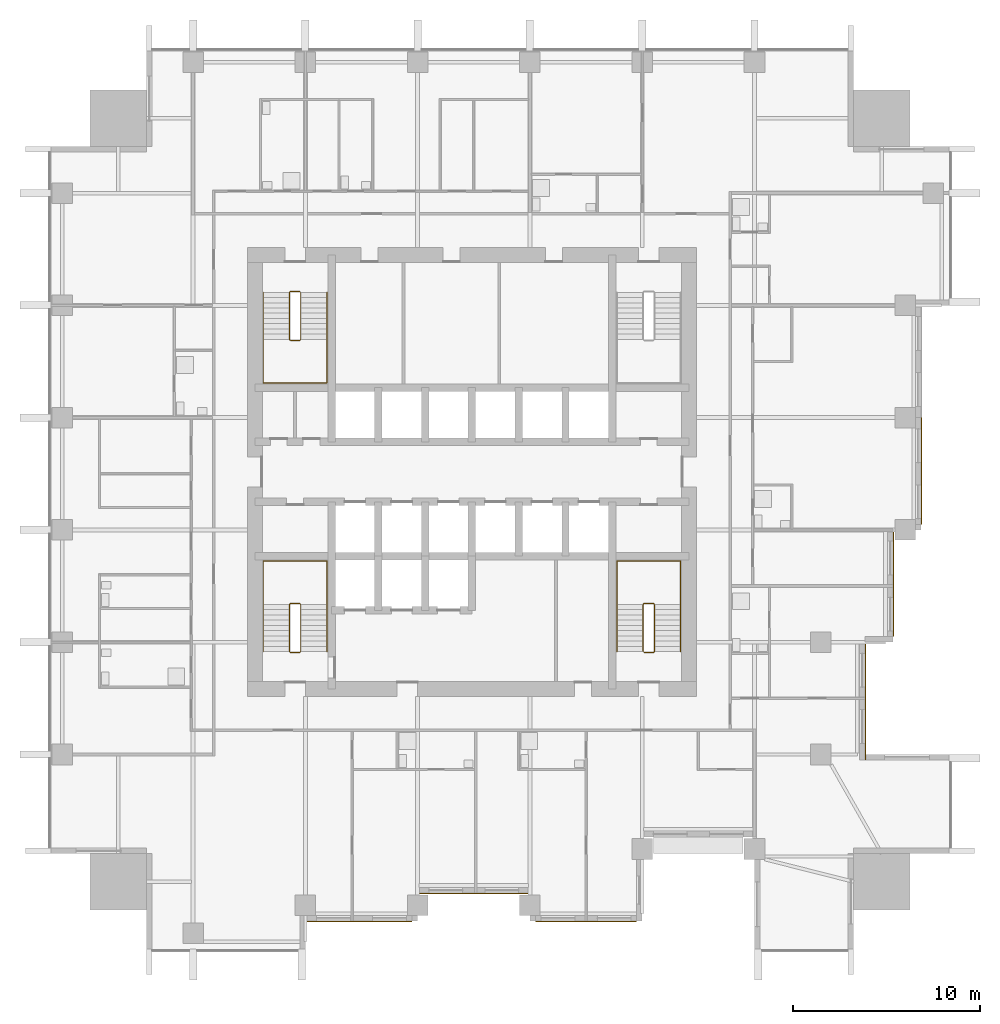
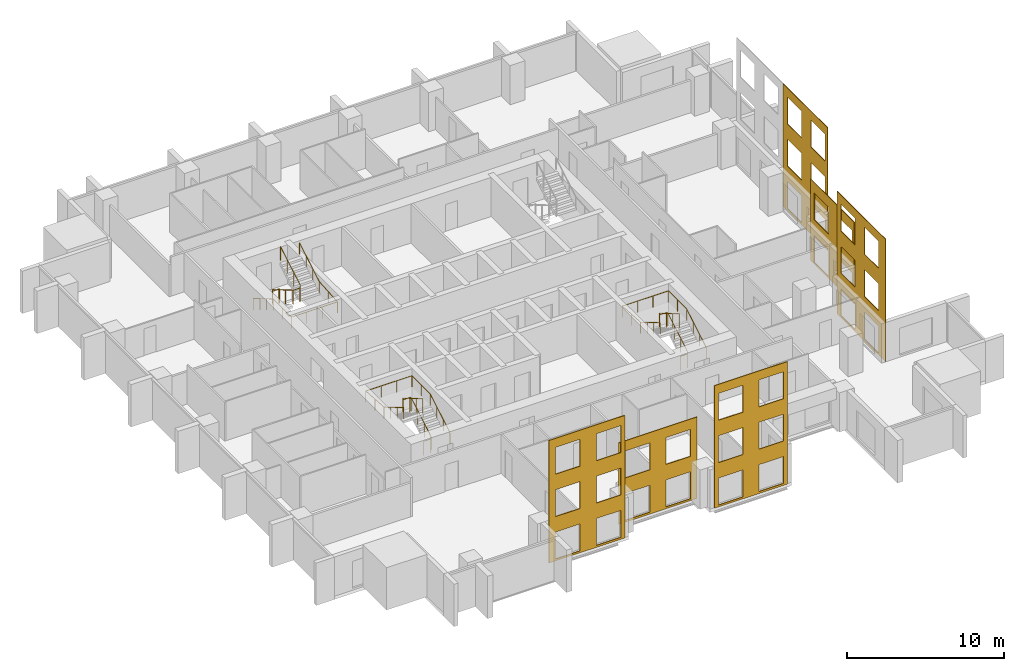
# One storey, part 9 of 11: 6 coverings, 6 railings.
"""IFC4 building model written with IfcOpenShell, lengths in metres."""

from ifc_helpers import new_model, si_unit, direction, frame, origin, origin_2d, place, context, subcontext, project, spatial, polyline, circle, outline, extrude, material, layer, layer_set, type_object, element, save


model = new_model("IFC4")

# Units and contexts
model_context = context("Model", 3, precision=1e-05, world=origin(), true_north=direction((0.0, 1.0)))
body_context = subcontext(model_context, "Body", "Model", "MODEL_VIEW")
ifc_project = project(units=[si_unit("LENGTHUNIT", "METRE"), si_unit("AREAUNIT", "SQUARE_METRE"), si_unit("VOLUMEUNIT", "CUBIC_METRE"), si_unit("PLANEANGLEUNIT", "RADIAN"), si_unit("MASSUNIT", "GRAM", prefix="KILO")], contexts=[model_context])

# Site, building, storey
site_placement = place(None, origin())
site = spatial("IfcSite", under=ifc_project, at=site_placement, CompositionType="ELEMENT")
building_placement = place(site_placement, origin())
building = spatial("IfcBuilding", under=site, at=building_placement, Name="Amberfall Residences", CompositionType="ELEMENT")
storey_placement = place(building_placement, frame((0.0, 0.0, 115.0)))
storey = spatial("IfcBuildingStorey", under=building, at=storey_placement, Name="L31", CompositionType="ELEMENT", Elevation=115.0)

# Coverings
ifc_material_1 = material(Name="Pale limestone cladding", Category="masonry")
ifc_layer = layer(ifc_material_1, 0.050048828125)
ifc_layer_set = layer_set([ifc_layer], Name="Limestone fascia 50")
covering_type = type_object("IfcCoveringType", Name="Limestone fascia 50", PredefinedType="CLADDING", material=ifc_layer_set)
covering_1_placement = place(storey_placement, frame((98.5, 42.699951171875, 9.550048828125), z_axis=(-1.0, 0.0, 0.0), x_axis=(0.0, 1.0, 0.0)))
element("IfcCovering", 1, at=covering_1_placement, inside=storey, type_object=covering_type, Name="Pale limestone cladding L31-L33 E", PredefinedType="CLADDING", context=body_context, shape_type="SweptSolid", body=[
    extrude(outline(polyline([(0.0, 0.0), (5.699951171875, 0.0), (5.699951171875, 9.550048828125), (0.0, 9.550048828125), (0.0, 0.0)]), holes=[polyline([(0.300048828125, 7.300048828125), (2.10009765625, 7.300048828125), (2.10009765625, 9.400146484375), (0.300048828125, 9.400146484375), (0.300048828125, 7.300048828125)]), polyline([(3.300048828125, 7.300048828125), (5.10009765625, 7.300048828125), (5.10009765625, 9.400146484375), (3.300048828125, 9.400146484375), (3.300048828125, 7.300048828125)]), polyline([(0.300048828125, 4.0), (2.10009765625, 4.0), (2.10009765625, 6.10009765625), (0.300048828125, 6.10009765625), (0.300048828125, 4.0)]), polyline([(3.300048828125, 4.0), (5.10009765625, 4.0), (5.10009765625, 6.10009765625), (3.300048828125, 6.10009765625), (3.300048828125, 4.0)]), polyline([(0.300048828125, 0.699951171875), (2.10009765625, 0.699951171875), (2.10009765625, 2.800048828125), (0.300048828125, 2.800048828125), (0.300048828125, 0.699951171875)]), polyline([(3.300048828125, 0.699951171875), (5.10009765625, 0.699951171875), (5.10009765625, 2.800048828125), (3.300048828125, 2.800048828125), (3.300048828125, 0.699951171875)])]), origin(), (0.0, 0.0, -1.0), 0.050048828125),
])
covering_2_placement = place(storey_placement, frame((65.68994140625, 21.5, 9.550048828125), z_axis=(0.0, 1.0, 0.0), x_axis=(1.0, 0.0, 0.0)))
element("IfcCovering", 2, at=covering_2_placement, inside=storey, type_object=covering_type, Name="Pale limestone cladding L31-L33 S", PredefinedType="CLADDING", context=body_context, shape_type="SweptSolid", body=[
    extrude(outline(polyline([(0.0, 0.0), (5.610107421875, 0.0), (5.610107421875, 9.550048828125), (0.0, 9.550048828125), (0.0, 0.0)]), holes=[polyline([(0.510009765625, 7.300048828125), (2.31005859375, 7.300048828125), (2.31005859375, 9.400146484375), (0.510009765625, 9.400146484375), (0.510009765625, 7.300048828125)]), polyline([(3.510009765625, 7.300048828125), (5.31005859375, 7.300048828125), (5.31005859375, 9.400146484375), (3.510009765625, 9.400146484375), (3.510009765625, 7.300048828125)]), polyline([(0.510009765625, 4.0), (2.31005859375, 4.0), (2.31005859375, 6.10009765625), (0.510009765625, 6.10009765625), (0.510009765625, 4.0)]), polyline([(3.510009765625, 4.0), (5.31005859375, 4.0), (5.31005859375, 6.10009765625), (3.510009765625, 6.10009765625), (3.510009765625, 4.0)]), polyline([(0.510009765625, 0.699951171875), (2.31005859375, 0.699951171875), (2.31005859375, 2.800048828125), (0.510009765625, 2.800048828125), (0.510009765625, 0.699951171875)]), polyline([(3.510009765625, 0.699951171875), (5.31005859375, 0.699951171875), (5.31005859375, 2.800048828125), (3.510009765625, 2.800048828125), (3.510009765625, 0.699951171875)])]), origin(), (0.0, 0.0, -1.0), 0.050048828125),
])
covering_3_placement = place(storey_placement, frame((71.7099609375, 23.0, 6.35009765625), z_axis=(0.0, 1.0, 0.0), x_axis=(1.0, 0.0, 0.0)))
element("IfcCovering", 3, at=covering_3_placement, inside=storey, type_object=covering_type, Name="Pale limestone cladding L31-L32 S", PredefinedType="CLADDING", context=body_context, shape_type="SweptSolid", body=[
    extrude(outline(polyline([(0.0, 0.0), (5.780029296875, 0.0), (5.780029296875, 6.35009765625), (0.0, 6.35009765625), (0.0, 0.0)]), holes=[polyline([(0.489990234375, 4.10009765625), (2.2900390625, 4.10009765625), (2.2900390625, 6.2001953125), (0.489990234375, 6.2001953125), (0.489990234375, 4.10009765625)]), polyline([(3.489990234375, 4.10009765625), (5.2900390625, 4.10009765625), (5.2900390625, 6.2001953125), (3.489990234375, 6.2001953125), (3.489990234375, 4.10009765625)]), polyline([(0.489990234375, 0.800048828125), (2.2900390625, 0.800048828125), (2.2900390625, 2.900146484375), (0.489990234375, 2.900146484375), (0.489990234375, 0.800048828125)]), polyline([(3.489990234375, 0.800048828125), (5.2900390625, 0.800048828125), (5.2900390625, 2.900146484375), (3.489990234375, 2.900146484375), (3.489990234375, 0.800048828125)])]), origin(), (0.0, 0.0, -1.0), 0.050048828125),
])
covering_4_placement = place(storey_placement, frame((77.89990234375, 21.5, 9.550048828125), z_axis=(0.0, 1.0, 0.0), x_axis=(1.0, 0.0, 0.0)))
element("IfcCovering", 4, at=covering_4_placement, inside=storey, type_object=covering_type, Name="Pale limestone cladding L31-L33 S", PredefinedType="CLADDING", context=body_context, shape_type="SweptSolid", body=[
    extrude(outline(polyline([(0.0, 0.0), (5.400146484375, 0.0), (5.400146484375, 9.550048828125), (0.0, 9.550048828125), (0.0, 0.0)]), holes=[polyline([(0.300048828125, 7.300048828125), (2.10009765625, 7.300048828125), (2.10009765625, 9.400146484375), (0.300048828125, 9.400146484375), (0.300048828125, 7.300048828125)]), polyline([(3.300048828125, 7.300048828125), (5.10009765625, 7.300048828125), (5.10009765625, 9.400146484375), (3.300048828125, 9.400146484375), (3.300048828125, 7.300048828125)]), polyline([(0.300048828125, 4.0), (2.10009765625, 4.0), (2.10009765625, 6.10009765625), (0.300048828125, 6.10009765625), (0.300048828125, 4.0)]), polyline([(3.300048828125, 4.0), (5.10009765625, 4.0), (5.10009765625, 6.10009765625), (3.300048828125, 6.10009765625), (3.300048828125, 4.0)]), polyline([(0.300048828125, 0.699951171875), (2.10009765625, 0.699951171875), (2.10009765625, 2.800048828125), (0.300048828125, 2.800048828125), (0.300048828125, 0.699951171875)]), polyline([(3.300048828125, 0.699951171875), (5.10009765625, 0.699951171875), (5.10009765625, 2.800048828125), (3.300048828125, 2.800048828125), (3.300048828125, 0.699951171875)])]), origin(), (0.0, 0.0, -1.0), 0.050048828125),
])
covering_5_placement = place(storey_placement, frame((97.0, 36.699951171875, 6.35009765625), z_axis=(-1.0, 0.0, 0.0), x_axis=(0.0, 1.0, 0.0)))
element("IfcCovering", 5, at=covering_5_placement, inside=storey, type_object=covering_type, Name="Pale limestone cladding L31-L32 E", PredefinedType="CLADDING", context=body_context, shape_type="SweptSolid", body=[
    extrude(outline(polyline([(0.0, 0.0), (5.590087890625, 0.0), (5.590087890625, 6.35009765625), (0.0, 6.35009765625), (0.0, 0.0)]), holes=[polyline([(0.300048828125, 4.10009765625), (2.10009765625, 4.10009765625), (2.10009765625, 6.2001953125), (0.300048828125, 6.2001953125), (0.300048828125, 4.10009765625)]), polyline([(3.300048828125, 4.10009765625), (5.10009765625, 4.10009765625), (5.10009765625, 6.2001953125), (3.300048828125, 6.2001953125), (3.300048828125, 4.10009765625)]), polyline([(0.300048828125, 0.800048828125), (2.10009765625, 0.800048828125), (2.10009765625, 2.900146484375), (0.300048828125, 2.900146484375), (0.300048828125, 0.800048828125)]), polyline([(3.300048828125, 0.800048828125), (5.10009765625, 0.800048828125), (5.10009765625, 2.900146484375), (3.300048828125, 2.900146484375), (3.300048828125, 0.800048828125)])]), origin(), (0.0, 0.0, -1.0), 0.050048828125),
])
covering_6_placement = place(storey_placement, frame((95.5, 30.10009765625, 9.550048828125), z_axis=(-1.0, 0.0, 0.0), x_axis=(0.0, 1.0, 0.0)))
element("IfcCovering", 6, at=covering_6_placement, inside=storey, type_object=covering_type, Name="Pale limestone cladding L31-L33 E", PredefinedType="CLADDING", context=body_context, shape_type="SweptSolid", body=[
    extrude(outline(polyline([(0.0, 0.0), (6.2099609375, 0.0), (6.2099609375, 9.550048828125), (0.0, 9.550048828125), (0.0, 0.0)]), holes=[polyline([(0.89990234375, 7.300048828125), (2.699951171875, 7.300048828125), (2.699951171875, 9.400146484375), (0.89990234375, 9.400146484375), (0.89990234375, 7.300048828125)]), polyline([(3.89990234375, 7.300048828125), (5.699951171875, 7.300048828125), (5.699951171875, 9.400146484375), (3.89990234375, 9.400146484375), (3.89990234375, 7.300048828125)]), polyline([(0.89990234375, 4.0), (2.699951171875, 4.0), (2.699951171875, 6.10009765625), (0.89990234375, 6.10009765625), (0.89990234375, 4.0)]), polyline([(3.89990234375, 4.0), (5.699951171875, 4.0), (5.699951171875, 6.10009765625), (3.89990234375, 6.10009765625), (3.89990234375, 4.0)]), polyline([(0.89990234375, 0.699951171875), (2.699951171875, 0.699951171875), (2.699951171875, 2.800048828125), (0.89990234375, 2.800048828125), (0.89990234375, 0.699951171875)]), polyline([(3.89990234375, 0.699951171875), (5.699951171875, 0.699951171875), (5.699951171875, 2.800048828125), (3.89990234375, 2.800048828125), (3.89990234375, 0.699951171875)])]), origin(), (0.0, 0.0, -1.0), 0.050048828125),
])

# Railings
ifc_material_2 = material(Name="Stainless steel 316", Category="steel")
railing_type_1 = type_object("IfcRailingType", Name="Stair guard 1100", PredefinedType="GUARDRAIL", material=ifc_material_2)
railing_1_placement = place(storey_placement, frame((64.800048828125, 35.85009765625, 0.0)))
element("IfcRailing", 7, at=railing_1_placement, inside=storey, type_object=railing_type_1, Name="L31 stair 1 guard", PredefinedType="GUARDRAIL", context=body_context, shape_type="SweptSolid", body=[
    extrude(circle(Radius=0.02392578125, at=origin_2d()), frame((0.0, 0.0, 1.076171875), z_axis=(1.0, 0.0, 0.0), x_axis=(0.0, 1.0, 0.0)), (0.0, 0.0, 1.0), 0.5),
    extrude(circle(Radius=0.02392578125, at=origin_2d()), frame((0.5, 0.0, 1.076171875), z_axis=(0.278810427259, 0.277450376394, 0.919394384522), x_axis=(-0.705375805398, 0.708833529934, 0.0)), (0.0, 0.0, 1.0), 0.179443359375),
    extrude(circle(Radius=0.02392578125, at=origin_2d()), frame((0.550048828125, 0.0498046875, 1.2412109375), z_axis=(0.0, 0.861560626758, 0.507654692109), x_axis=(-1.0, 0.0, 0.0)), (0.0, 0.0, 1.0), 2.925048828125),
    extrude(circle(Radius=0.02392578125, at=origin_2d()), frame((0.550048828125, 2.56982421875, 2.72607421875), z_axis=(-0.707106781187, 0.707106781187, 0.0), x_axis=(-0.707106781187, -0.707106781187, 0.0)), (0.0, 0.0, 1.0), 0.07080078125),
    extrude(circle(Radius=0.02392578125, at=origin_2d()), frame((0.5, 2.619873046875, 2.72607421875), z_axis=(-1.0, 0.0, 0.0), x_axis=(0.0, -1.0, 0.0)), (0.0, 0.0, 1.0), 0.5),
    extrude(circle(Radius=0.02392578125, at=origin_2d()), frame((0.0, 2.619873046875, 2.72607421875), z_axis=(-0.278705021027, -0.278705021027, 0.919046801044), x_axis=(0.707106781187, -0.707106781187, 0.0)), (0.0, 0.0, 1.0), 0.1796875),
    extrude(circle(Radius=0.02392578125, at=origin_2d()), frame((-0.050048828125, 2.56982421875, 2.89111328125), z_axis=(0.0, -0.86152411907, 0.507716645641), x_axis=(1.0, 0.0, 0.0)), (0.0, 0.0, 1.0), 2.925048828125),
    extrude(circle(Radius=0.02099609375, at=origin_2d()), origin(), (0.0, 0.0, 1.0), 1.052001953125),
    extrude(circle(Radius=0.02099609375, at=origin_2d()), frame((0.5, 0.0, 0.0)), (0.0, 0.0, 1.0), 1.052001953125),
    extrude(circle(Radius=0.02099609375, at=origin_2d()), frame((0.550048828125, 0.0498046875, 0.1650390625)), (0.0, 0.0, 1.0), 1.052001953125),
    extrude(circle(Radius=0.02099609375, at=origin_2d()), frame((0.550048828125, 0.889892578125, 0.659912109375)), (0.0, 0.0, 1.0), 1.052001953125),
    extrude(circle(Radius=0.02099609375, at=origin_2d()), frame((0.550048828125, 1.729736328125, 1.155029296875)), (0.0, 0.0, 1.0), 1.052001953125),
    extrude(circle(Radius=0.02099609375, at=origin_2d()), frame((0.550048828125, 2.56982421875, 1.64990234375)), (0.0, 0.0, 1.0), 1.052001953125),
    extrude(circle(Radius=0.02099609375, at=origin_2d()), frame((0.5, 2.619873046875, 1.64990234375)), (0.0, 0.0, 1.0), 1.052001953125),
    extrude(circle(Radius=0.02099609375, at=origin_2d()), frame((0.0, 2.619873046875, 1.64990234375)), (0.0, 0.0, 1.0), 1.052001953125),
    extrude(circle(Radius=0.02099609375, at=origin_2d()), frame((-0.050048828125, 2.56982421875, 1.81494140625)), (0.0, 0.0, 1.0), 1.052001953125),
    extrude(circle(Radius=0.02099609375, at=origin_2d()), frame((-0.050048828125, 1.729736328125, 2.31005859375)), (0.0, 0.0, 1.0), 1.052001953125),
    extrude(circle(Radius=0.02099609375, at=origin_2d()), frame((-0.050048828125, 0.889892578125, 2.804931640625)), (0.0, 0.0, 1.0), 1.052001953125),
    extrude(circle(Radius=0.02099609375, at=origin_2d()), frame((-0.050048828125, 0.0498046875, 3.300048828125)), (0.0, 0.0, 1.0), 1.052001953125),
])
railing_2_placement = place(storey_placement, frame((83.699951171875, 35.85009765625, 0.0)))
element("IfcRailing", 8, at=railing_2_placement, inside=storey, type_object=railing_type_1, Name="L31 stair 2 guard", PredefinedType="GUARDRAIL", context=body_context, shape_type="SweptSolid", body=[
    extrude(circle(Radius=0.02392578125, at=origin_2d()), frame((0.0, 0.0, 1.076171875), z_axis=(1.0, 0.0, 0.0), x_axis=(0.0, 1.0, 0.0)), (0.0, 0.0, 1.0), 0.5),
    extrude(circle(Radius=0.02392578125, at=origin_2d()), frame((0.5, 0.0, 1.076171875), z_axis=(0.278810427259, 0.277450376394, 0.919394384522), x_axis=(-0.705375805398, 0.708833529934, 0.0)), (0.0, 0.0, 1.0), 0.179443359375),
    extrude(circle(Radius=0.02392578125, at=origin_2d()), frame((0.550048828125, 0.0498046875, 1.2412109375), z_axis=(0.0, 0.861560626758, 0.507654692109), x_axis=(-1.0, 0.0, 0.0)), (0.0, 0.0, 1.0), 2.925048828125),
    extrude(circle(Radius=0.02392578125, at=origin_2d()), frame((0.550048828125, 2.56982421875, 2.72607421875), z_axis=(-0.707106781187, 0.707106781187, 0.0), x_axis=(-0.707106781187, -0.707106781187, 0.0)), (0.0, 0.0, 1.0), 0.07080078125),
    extrude(circle(Radius=0.02392578125, at=origin_2d()), frame((0.5, 2.619873046875, 2.72607421875), z_axis=(-1.0, 0.0, 0.0), x_axis=(0.0, -1.0, 0.0)), (0.0, 0.0, 1.0), 0.5),
    extrude(circle(Radius=0.02392578125, at=origin_2d()), frame((0.0, 2.619873046875, 2.72607421875), z_axis=(-0.278705021027, -0.278705021027, 0.919046801044), x_axis=(0.707106781187, -0.707106781187, 0.0)), (0.0, 0.0, 1.0), 0.1796875),
    extrude(circle(Radius=0.02392578125, at=origin_2d()), frame((-0.050048828125, 2.56982421875, 2.89111328125), z_axis=(0.0, -0.86152411907, 0.507716645641), x_axis=(1.0, 0.0, 0.0)), (0.0, 0.0, 1.0), 2.925048828125),
    extrude(circle(Radius=0.02099609375, at=origin_2d()), origin(), (0.0, 0.0, 1.0), 1.052001953125),
    extrude(circle(Radius=0.02099609375, at=origin_2d()), frame((0.5, 0.0, 0.0)), (0.0, 0.0, 1.0), 1.052001953125),
    extrude(circle(Radius=0.02099609375, at=origin_2d()), frame((0.550048828125, 0.0498046875, 0.1650390625)), (0.0, 0.0, 1.0), 1.052001953125),
    extrude(circle(Radius=0.02099609375, at=origin_2d()), frame((0.550048828125, 0.889892578125, 0.659912109375)), (0.0, 0.0, 1.0), 1.052001953125),
    extrude(circle(Radius=0.02099609375, at=origin_2d()), frame((0.550048828125, 1.729736328125, 1.155029296875)), (0.0, 0.0, 1.0), 1.052001953125),
    extrude(circle(Radius=0.02099609375, at=origin_2d()), frame((0.550048828125, 2.56982421875, 1.64990234375)), (0.0, 0.0, 1.0), 1.052001953125),
    extrude(circle(Radius=0.02099609375, at=origin_2d()), frame((0.5, 2.619873046875, 1.64990234375)), (0.0, 0.0, 1.0), 1.052001953125),
    extrude(circle(Radius=0.02099609375, at=origin_2d()), frame((0.0, 2.619873046875, 1.64990234375)), (0.0, 0.0, 1.0), 1.052001953125),
    extrude(circle(Radius=0.02099609375, at=origin_2d()), frame((-0.050048828125, 2.56982421875, 1.81494140625)), (0.0, 0.0, 1.0), 1.052001953125),
    extrude(circle(Radius=0.02099609375, at=origin_2d()), frame((-0.050048828125, 1.729736328125, 2.31005859375)), (0.0, 0.0, 1.0), 1.052001953125),
    extrude(circle(Radius=0.02099609375, at=origin_2d()), frame((-0.050048828125, 0.889892578125, 2.804931640625)), (0.0, 0.0, 1.0), 1.052001953125),
    extrude(circle(Radius=0.02099609375, at=origin_2d()), frame((-0.050048828125, 0.0498046875, 3.300048828125)), (0.0, 0.0, 1.0), 1.052001953125),
])
railing_3_placement = place(storey_placement, frame((65.300048828125, 55.14990234375, 0.0)))
element("IfcRailing", 9, at=railing_3_placement, inside=storey, type_object=railing_type_1, Name="L31 stair 4 guard", PredefinedType="GUARDRAIL", context=body_context, shape_type="SweptSolid", body=[
    extrude(circle(Radius=0.02392578125, at=origin_2d()), frame((0.0, 0.0, 1.076171875), z_axis=(-1.0, 0.0, 0.0), x_axis=(0.0, -1.0, 0.0)), (0.0, 0.0, 1.0), 0.5),
    extrude(circle(Radius=0.02392578125, at=origin_2d()), frame((-0.5, 0.0, 1.076171875), z_axis=(-0.278810427259, -0.277450376394, 0.919394384522), x_axis=(0.705375805398, -0.708833529934, 0.0)), (0.0, 0.0, 1.0), 0.179443359375),
    extrude(circle(Radius=0.02392578125, at=origin_2d()), frame((-0.550048828125, -0.0498046875, 1.2412109375), z_axis=(0.0, -0.861560626758, 0.507654692109), x_axis=(1.0, 0.0, 0.0)), (0.0, 0.0, 1.0), 2.925048828125),
    extrude(circle(Radius=0.02392578125, at=origin_2d()), frame((-0.550048828125, -2.56982421875, 2.72607421875), z_axis=(0.707106781187, -0.707106781187, 0.0), x_axis=(0.707106781187, 0.707106781187, 0.0)), (0.0, 0.0, 1.0), 0.07080078125),
    extrude(circle(Radius=0.02392578125, at=origin_2d()), frame((-0.5, -2.619873046875, 2.72607421875), z_axis=(1.0, 0.0, 0.0), x_axis=(0.0, 1.0, 0.0)), (0.0, 0.0, 1.0), 0.5),
    extrude(circle(Radius=0.02392578125, at=origin_2d()), frame((0.0, -2.619873046875, 2.72607421875), z_axis=(0.278705021027, 0.278705021027, 0.919046801044), x_axis=(-0.707106781187, 0.707106781187, 0.0)), (0.0, 0.0, 1.0), 0.1796875),
    extrude(circle(Radius=0.02392578125, at=origin_2d()), frame((0.050048828125, -2.56982421875, 2.89111328125), z_axis=(0.0, 0.86152411907, 0.507716645641), x_axis=(-1.0, 0.0, 0.0)), (0.0, 0.0, 1.0), 2.925048828125),
    extrude(circle(Radius=0.02099609375, at=origin_2d()), origin(), (0.0, 0.0, 1.0), 1.052001953125),
    extrude(circle(Radius=0.02099609375, at=origin_2d()), frame((-0.5, 0.0, 0.0)), (0.0, 0.0, 1.0), 1.052001953125),
    extrude(circle(Radius=0.02099609375, at=origin_2d()), frame((-0.550048828125, -0.0498046875, 0.1650390625)), (0.0, 0.0, 1.0), 1.052001953125),
    extrude(circle(Radius=0.02099609375, at=origin_2d()), frame((-0.550048828125, -0.889892578125, 0.659912109375)), (0.0, 0.0, 1.0), 1.052001953125),
    extrude(circle(Radius=0.02099609375, at=origin_2d()), frame((-0.550048828125, -1.729736328125, 1.155029296875)), (0.0, 0.0, 1.0), 1.052001953125),
    extrude(circle(Radius=0.02099609375, at=origin_2d()), frame((-0.550048828125, -2.56982421875, 1.64990234375)), (0.0, 0.0, 1.0), 1.052001953125),
    extrude(circle(Radius=0.02099609375, at=origin_2d()), frame((-0.5, -2.619873046875, 1.64990234375)), (0.0, 0.0, 1.0), 1.052001953125),
    extrude(circle(Radius=0.02099609375, at=origin_2d()), frame((0.0, -2.619873046875, 1.64990234375)), (0.0, 0.0, 1.0), 1.052001953125),
    extrude(circle(Radius=0.02099609375, at=origin_2d()), frame((0.050048828125, -2.56982421875, 1.81494140625)), (0.0, 0.0, 1.0), 1.052001953125),
    extrude(circle(Radius=0.02099609375, at=origin_2d()), frame((0.050048828125, -1.729736328125, 2.31005859375)), (0.0, 0.0, 1.0), 1.052001953125),
    extrude(circle(Radius=0.02099609375, at=origin_2d()), frame((0.050048828125, -0.889892578125, 2.804931640625)), (0.0, 0.0, 1.0), 1.052001953125),
    extrude(circle(Radius=0.02099609375, at=origin_2d()), frame((0.050048828125, -0.0498046875, 3.300048828125)), (0.0, 0.0, 1.0), 1.052001953125),
])
railing_type_2 = type_object("IfcRailingType", Name="Stair handrail 900", PredefinedType="HANDRAIL", material=ifc_material_2)
railing_4_placement = place(storey_placement, frame((66.75, 35.89990234375, 0.1650390625)))
element("IfcRailing", 10, at=railing_4_placement, inside=storey, type_object=railing_type_2, Name="L31 stair 1 handrail", PredefinedType="HANDRAIL", context=body_context, shape_type="SweptSolid", body=[
    extrude(circle(Radius=0.02392578125, at=origin_2d()), frame((0.0, 0.0, 0.8759765625), z_axis=(0.0, 0.861560626758, 0.507654692109), x_axis=(-1.0, 0.0, 0.0)), (0.0, 0.0, 1.0), 2.925048828125),
    extrude(circle(Radius=0.02392578125, at=origin_2d()), frame((0.0, 2.52001953125, 2.36083984375), z_axis=(0.0, 1.0, 0.0), x_axis=(-1.0, 0.0, 0.0)), (0.0, 0.0, 1.0), 2.330078125),
    extrude(circle(Radius=0.02392578125, at=origin_2d()), frame((0.0, 4.85009765625, 2.36083984375), z_axis=(-1.0, 0.0, 0.0), x_axis=(0.0, -1.0, 0.0)), (0.0, 0.0, 1.0), 3.39990234375),
    extrude(circle(Radius=0.02392578125, at=origin_2d()), frame((-3.39990234375, 4.85009765625, 2.36083984375), z_axis=(0.0, -0.997500965899, 0.07065283455), x_axis=(1.0, 0.0, 0.0)), (0.0, 0.0, 1.0), 2.3359375),
    extrude(circle(Radius=0.02392578125, at=origin_2d()), frame((-3.39990234375, 2.52001953125, 2.52587890625), z_axis=(0.0, -0.86152411907, 0.507716645641), x_axis=(1.0, 0.0, 0.0)), (0.0, 0.0, 1.0), 2.925048828125),
    extrude(circle(Radius=0.02099609375, at=origin_2d()), origin(), (0.0, 0.0, 1.0), 0.851806640625),
    extrude(circle(Radius=0.02099609375, at=origin_2d()), frame((0.0, 0.840087890625, 0.494873046875)), (0.0, 0.0, 1.0), 0.851806640625),
    extrude(circle(Radius=0.02099609375, at=origin_2d()), frame((0.0, 1.679931640625, 0.989990234375)), (0.0, 0.0, 1.0), 0.851806640625),
    extrude(circle(Radius=0.02099609375, at=origin_2d()), frame((0.0, 2.52001953125, 1.48486328125)), (0.0, 0.0, 1.0), 0.851806640625),
    extrude(circle(Radius=0.02099609375, at=origin_2d()), frame((0.0, 3.68505859375, 1.48486328125)), (0.0, 0.0, 1.0), 0.851806640625),
    extrude(circle(Radius=0.02099609375, at=origin_2d()), frame((0.0, 4.85009765625, 1.48486328125)), (0.0, 0.0, 1.0), 0.851806640625),
    extrude(circle(Radius=0.02099609375, at=origin_2d()), frame((-1.13330078125, 4.85009765625, 1.48486328125)), (0.0, 0.0, 1.0), 0.851806640625),
    extrude(circle(Radius=0.02099609375, at=origin_2d()), frame((-2.2666015625, 4.85009765625, 1.48486328125)), (0.0, 0.0, 1.0), 0.851806640625),
    extrude(circle(Radius=0.02099609375, at=origin_2d()), frame((-3.39990234375, 4.85009765625, 1.48486328125)), (0.0, 0.0, 1.0), 0.851806640625),
    extrude(circle(Radius=0.02099609375, at=origin_2d()), frame((-3.39990234375, 3.68505859375, 1.5673828125)), (0.0, 0.0, 1.0), 0.851806640625),
    extrude(circle(Radius=0.02099609375, at=origin_2d()), frame((-3.39990234375, 2.52001953125, 1.64990234375)), (0.0, 0.0, 1.0), 0.851806640625),
    extrude(circle(Radius=0.02099609375, at=origin_2d()), frame((-3.39990234375, 1.679931640625, 2.14501953125)), (0.0, 0.0, 1.0), 0.851806640625),
    extrude(circle(Radius=0.02099609375, at=origin_2d()), frame((-3.39990234375, 0.840087890625, 2.639892578125)), (0.0, 0.0, 1.0), 0.851806640625),
    extrude(circle(Radius=0.02099609375, at=origin_2d()), frame((-3.39990234375, 0.0, 3.135009765625)), (0.0, 0.0, 1.0), 0.851806640625),
])
railing_5_placement = place(storey_placement, frame((85.64990234375, 35.89990234375, 0.1650390625)))
element("IfcRailing", 11, at=railing_5_placement, inside=storey, type_object=railing_type_2, Name="L31 stair 2 handrail", PredefinedType="HANDRAIL", context=body_context, shape_type="SweptSolid", body=[
    extrude(circle(Radius=0.02392578125, at=origin_2d()), frame((0.0, 0.0, 0.8759765625), z_axis=(0.0, 0.861560626758, 0.507654692109), x_axis=(-1.0, 0.0, 0.0)), (0.0, 0.0, 1.0), 2.925048828125),
    extrude(circle(Radius=0.02392578125, at=origin_2d()), frame((0.0, 2.52001953125, 2.36083984375), z_axis=(0.0, 1.0, 0.0), x_axis=(-1.0, 0.0, 0.0)), (0.0, 0.0, 1.0), 2.330078125),
    extrude(circle(Radius=0.02392578125, at=origin_2d()), frame((0.0, 4.85009765625, 2.36083984375), z_axis=(-1.0, 0.0, 0.0), x_axis=(0.0, -1.0, 0.0)), (0.0, 0.0, 1.0), 3.39990234375),
    extrude(circle(Radius=0.02392578125, at=origin_2d()), frame((-3.39990234375, 4.85009765625, 2.36083984375), z_axis=(0.0, -0.997500965899, 0.07065283455), x_axis=(1.0, 0.0, 0.0)), (0.0, 0.0, 1.0), 2.3359375),
    extrude(circle(Radius=0.02392578125, at=origin_2d()), frame((-3.39990234375, 2.52001953125, 2.52587890625), z_axis=(0.0, -0.86152411907, 0.507716645641), x_axis=(1.0, 0.0, 0.0)), (0.0, 0.0, 1.0), 2.925048828125),
    extrude(circle(Radius=0.02099609375, at=origin_2d()), origin(), (0.0, 0.0, 1.0), 0.851806640625),
    extrude(circle(Radius=0.02099609375, at=origin_2d()), frame((0.0, 0.840087890625, 0.494873046875)), (0.0, 0.0, 1.0), 0.851806640625),
    extrude(circle(Radius=0.02099609375, at=origin_2d()), frame((0.0, 1.679931640625, 0.989990234375)), (0.0, 0.0, 1.0), 0.851806640625),
    extrude(circle(Radius=0.02099609375, at=origin_2d()), frame((0.0, 2.52001953125, 1.48486328125)), (0.0, 0.0, 1.0), 0.851806640625),
    extrude(circle(Radius=0.02099609375, at=origin_2d()), frame((0.0, 3.68505859375, 1.48486328125)), (0.0, 0.0, 1.0), 0.851806640625),
    extrude(circle(Radius=0.02099609375, at=origin_2d()), frame((0.0, 4.85009765625, 1.48486328125)), (0.0, 0.0, 1.0), 0.851806640625),
    extrude(circle(Radius=0.02099609375, at=origin_2d()), frame((-1.13330078125, 4.85009765625, 1.48486328125)), (0.0, 0.0, 1.0), 0.851806640625),
    extrude(circle(Radius=0.02099609375, at=origin_2d()), frame((-2.2666015625, 4.85009765625, 1.48486328125)), (0.0, 0.0, 1.0), 0.851806640625),
    extrude(circle(Radius=0.02099609375, at=origin_2d()), frame((-3.39990234375, 4.85009765625, 1.48486328125)), (0.0, 0.0, 1.0), 0.851806640625),
    extrude(circle(Radius=0.02099609375, at=origin_2d()), frame((-3.39990234375, 3.68505859375, 1.5673828125)), (0.0, 0.0, 1.0), 0.851806640625),
    extrude(circle(Radius=0.02099609375, at=origin_2d()), frame((-3.39990234375, 2.52001953125, 1.64990234375)), (0.0, 0.0, 1.0), 0.851806640625),
    extrude(circle(Radius=0.02099609375, at=origin_2d()), frame((-3.39990234375, 1.679931640625, 2.14501953125)), (0.0, 0.0, 1.0), 0.851806640625),
    extrude(circle(Radius=0.02099609375, at=origin_2d()), frame((-3.39990234375, 0.840087890625, 2.639892578125)), (0.0, 0.0, 1.0), 0.851806640625),
    extrude(circle(Radius=0.02099609375, at=origin_2d()), frame((-3.39990234375, 0.0, 3.135009765625)), (0.0, 0.0, 1.0), 0.851806640625),
])
railing_6_placement = place(storey_placement, frame((63.35009765625, 55.10009765625, 0.1650390625)))
element("IfcRailing", 12, at=railing_6_placement, inside=storey, type_object=railing_type_2, Name="L31 stair 4 handrail", PredefinedType="HANDRAIL", context=body_context, shape_type="SweptSolid", body=[
    extrude(circle(Radius=0.02392578125, at=origin_2d()), frame((0.0, 0.0, 0.8759765625), z_axis=(0.0, -0.861560626758, 0.507654692109), x_axis=(1.0, 0.0, 0.0)), (0.0, 0.0, 1.0), 2.925048828125),
    extrude(circle(Radius=0.02392578125, at=origin_2d()), frame((0.0, -2.52001953125, 2.36083984375), z_axis=(0.0, -1.0, 0.0), x_axis=(1.0, 0.0, 0.0)), (0.0, 0.0, 1.0), 2.330078125),
    extrude(circle(Radius=0.02392578125, at=origin_2d()), frame((0.0, -4.85009765625, 2.36083984375), z_axis=(1.0, 0.0, 0.0), x_axis=(0.0, 1.0, 0.0)), (0.0, 0.0, 1.0), 3.39990234375),
    extrude(circle(Radius=0.02392578125, at=origin_2d()), frame((3.39990234375, -4.85009765625, 2.36083984375), z_axis=(0.0, 0.997500965899, 0.07065283455), x_axis=(-1.0, 0.0, 0.0)), (0.0, 0.0, 1.0), 2.3359375),
    extrude(circle(Radius=0.02392578125, at=origin_2d()), frame((3.39990234375, -2.52001953125, 2.52587890625), z_axis=(0.0, 0.86152411907, 0.507716645641), x_axis=(-1.0, 0.0, 0.0)), (0.0, 0.0, 1.0), 2.925048828125),
    extrude(circle(Radius=0.02099609375, at=origin_2d()), origin(), (0.0, 0.0, 1.0), 0.851806640625),
    extrude(circle(Radius=0.02099609375, at=origin_2d()), frame((0.0, -0.840087890625, 0.494873046875)), (0.0, 0.0, 1.0), 0.851806640625),
    extrude(circle(Radius=0.02099609375, at=origin_2d()), frame((0.0, -1.679931640625, 0.989990234375)), (0.0, 0.0, 1.0), 0.851806640625),
    extrude(circle(Radius=0.02099609375, at=origin_2d()), frame((0.0, -2.52001953125, 1.48486328125)), (0.0, 0.0, 1.0), 0.851806640625),
    extrude(circle(Radius=0.02099609375, at=origin_2d()), frame((0.0, -3.68505859375, 1.48486328125)), (0.0, 0.0, 1.0), 0.851806640625),
    extrude(circle(Radius=0.02099609375, at=origin_2d()), frame((0.0, -4.85009765625, 1.48486328125)), (0.0, 0.0, 1.0), 0.851806640625),
    extrude(circle(Radius=0.02099609375, at=origin_2d()), frame((1.13330078125, -4.85009765625, 1.48486328125)), (0.0, 0.0, 1.0), 0.851806640625),
    extrude(circle(Radius=0.02099609375, at=origin_2d()), frame((2.2666015625, -4.85009765625, 1.48486328125)), (0.0, 0.0, 1.0), 0.851806640625),
    extrude(circle(Radius=0.02099609375, at=origin_2d()), frame((3.39990234375, -4.85009765625, 1.48486328125)), (0.0, 0.0, 1.0), 0.851806640625),
    extrude(circle(Radius=0.02099609375, at=origin_2d()), frame((3.39990234375, -3.68505859375, 1.5673828125)), (0.0, 0.0, 1.0), 0.851806640625),
    extrude(circle(Radius=0.02099609375, at=origin_2d()), frame((3.39990234375, -2.52001953125, 1.64990234375)), (0.0, 0.0, 1.0), 0.851806640625),
    extrude(circle(Radius=0.02099609375, at=origin_2d()), frame((3.39990234375, -1.679931640625, 2.14501953125)), (0.0, 0.0, 1.0), 0.851806640625),
    extrude(circle(Radius=0.02099609375, at=origin_2d()), frame((3.39990234375, -0.840087890625, 2.639892578125)), (0.0, 0.0, 1.0), 0.851806640625),
    extrude(circle(Radius=0.02099609375, at=origin_2d()), frame((3.39990234375, 0.0, 3.135009765625)), (0.0, 0.0, 1.0), 0.851806640625),
])

save(model, "model.ifc")
